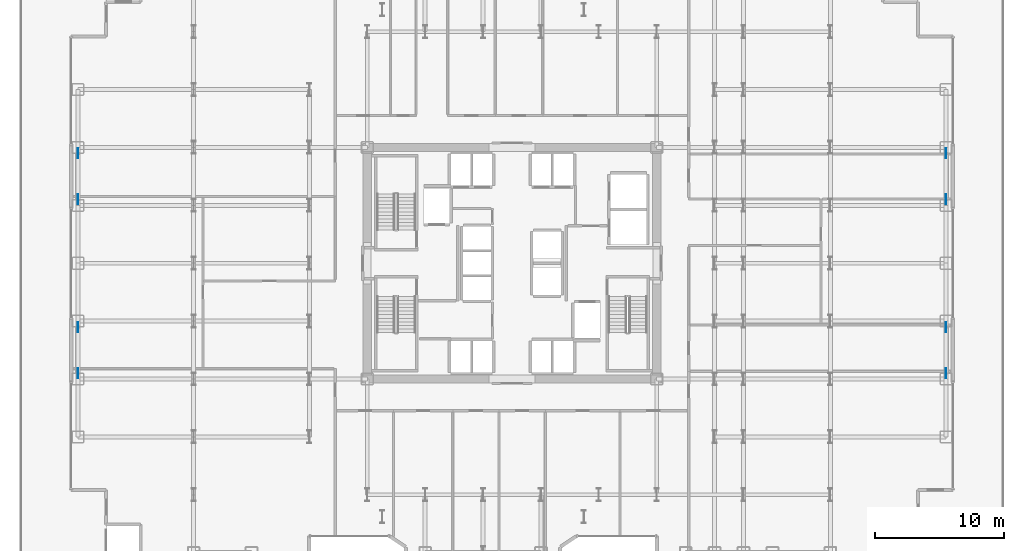
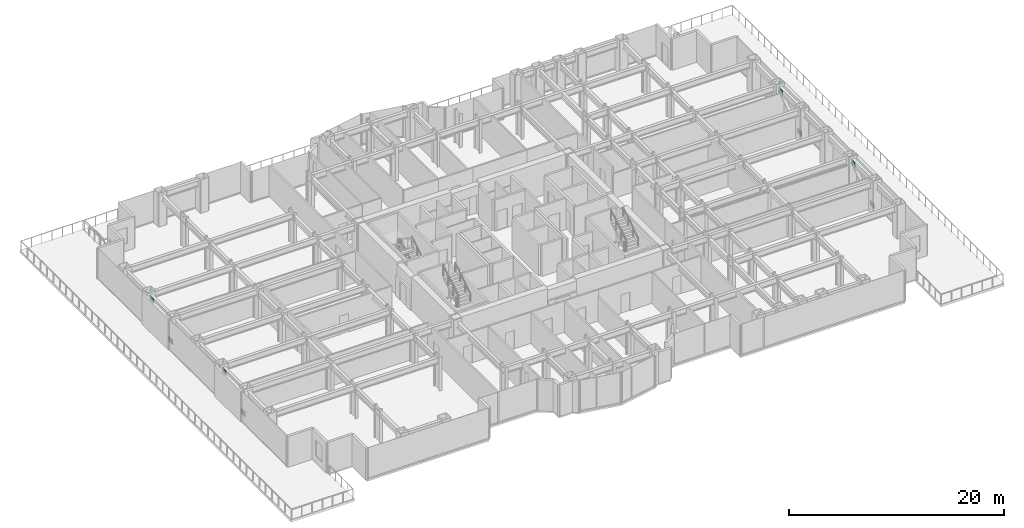
# One storey, part 21 of 30: 8 plates.
"""IFC4 building model written with IfcOpenShell, lengths in metres."""

from ifc_helpers import new_model, si_unit, direction, frame, origin, origin_2d, place, context, subcontext, project, spatial, rectangle, extrude, source, transform, mapped, material, layer, layer_set, type_object, element, save


model = new_model("IFC4")

# Units and contexts
model_context = context("Model", 3, precision=1e-05, world=origin(), true_north=direction((0.0, 1.0)))
body_context = subcontext(model_context, "Body", "Model", "MODEL_VIEW")
ifc_project = project(units=[si_unit("LENGTHUNIT", "METRE"), si_unit("AREAUNIT", "SQUARE_METRE"), si_unit("VOLUMEUNIT", "CUBIC_METRE"), si_unit("PLANEANGLEUNIT", "RADIAN"), si_unit("MASSUNIT", "GRAM", prefix="KILO")], contexts=[model_context])

# Site, building, storey
site_placement = place(None, origin())
site = spatial("IfcSite", under=ifc_project, at=site_placement, CompositionType="ELEMENT")
building_placement = place(site_placement, origin())
building = spatial("IfcBuilding", under=site, at=building_placement, Name="Nefas-Gora Pilgrimage Tower", CompositionType="ELEMENT")
storey_placement = place(building_placement, frame((0.0, 0.0, 33.0)))
storey = spatial("IfcBuildingStorey", under=building, at=storey_placement, Name="L06", CompositionType="ELEMENT", Elevation=33.0)

# Plates
ifc_material = material(Name="Steel S460", Category="steel")
ifc_layer = layer(ifc_material, 0.048095703125)
ifc_layer_set = layer_set([ifc_layer], Name="Steel S460")
plate_type = type_object("IfcPlateType", Name="PLT-NODE-N07", PredefinedType="USERDEFINED", material=ifc_layer_set)
shared_shape = source(origin(), body_context, "Body", "SweptSolid", [
    extrude(rectangle(XDim=0.780029296875, YDim=0.0380859375, at=origin_2d()), origin(), (0.0, 0.0, 1.0), 0.5400390625),
])
for number, where, z_axis, x_axis, name in (
    (1, (-33.75, -8.537109375, 0.211181640625), (0.0, 0.0, 1.0), (0.0, 1.0, 0.0), "Structural Node Gusset Plate N07 (L06)"),
    (2, (-33.75, -4.962890625, 2.768798828125), (0.0, 0.0, 1.0), (0.0, 1.0, 0.0), "Structural Node Gusset Plate N07 (L06)"),
    (3, (-33.75, 4.962890625, 0.211181640625), (0.0, 0.0, 1.0), (0.0, 1.0, 0.0), "Structural Node Gusset Plate N07 (L06)"),
    (4, (-33.75, 8.537109375, 2.768798828125), (0.0, 0.0, 1.0), (0.0, 1.0, 0.0), "Structural Node Gusset Plate N07 (L06)"),
    (5, (33.75, -8.537109375, 0.211181640625), (0.0, 0.0, 1.0), (0.0, 1.0, 0.0), "Structural Node Gusset Plate N07 (L06)"),
    (6, (33.75, -4.962890625, 2.768798828125), (0.0, 0.0, 1.0), (0.0, 1.0, 0.0), "Structural Node Gusset Plate N07 (L06)"),
    (7, (33.75, 4.962890625, 0.211181640625), (0.0, 0.0, 1.0), (0.0, 1.0, 0.0), "Structural Node Gusset Plate N07 (L06)"),
    (8, (33.75, 8.537109375, 2.768798828125), (0.0, 0.0, 1.0), (0.0, 1.0, 0.0), "Structural Node Gusset Plate N07 (L06)"),
):
    element("IfcPlate", number, at=place(storey_placement, frame(where, z_axis=z_axis, x_axis=x_axis)), inside=storey, type_object=plate_type, Name=name, ObjectType="GUSSET_PLATE", PredefinedType="USERDEFINED", context=body_context, shape_type="MappedRepresentation", body=[
        mapped(shared_shape, transform((0.0, 0.0, 0.0), x_axis=(1.0, 0.0, 0.0), y_axis=(0.0, 1.0, 0.0), z_axis=(0.0, 0.0, 1.0), scale=1.0)),
    ])

save(model, "model.ifc")
